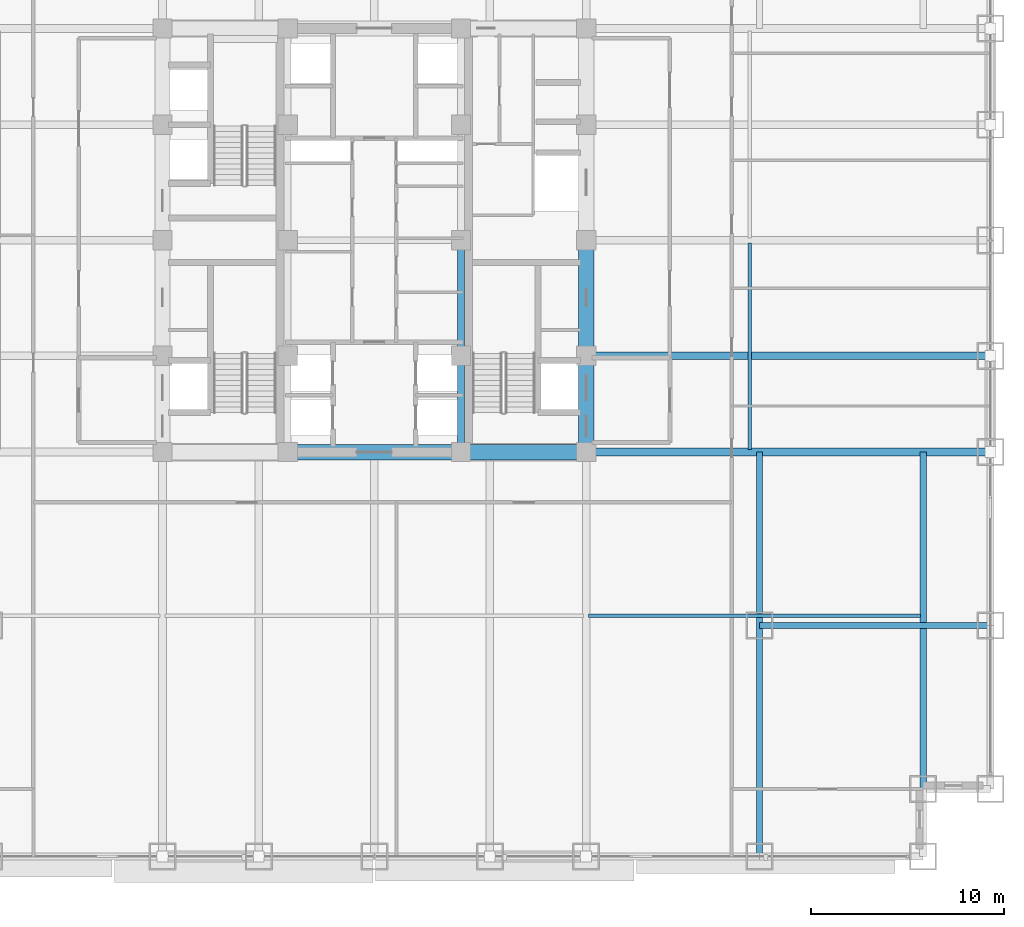
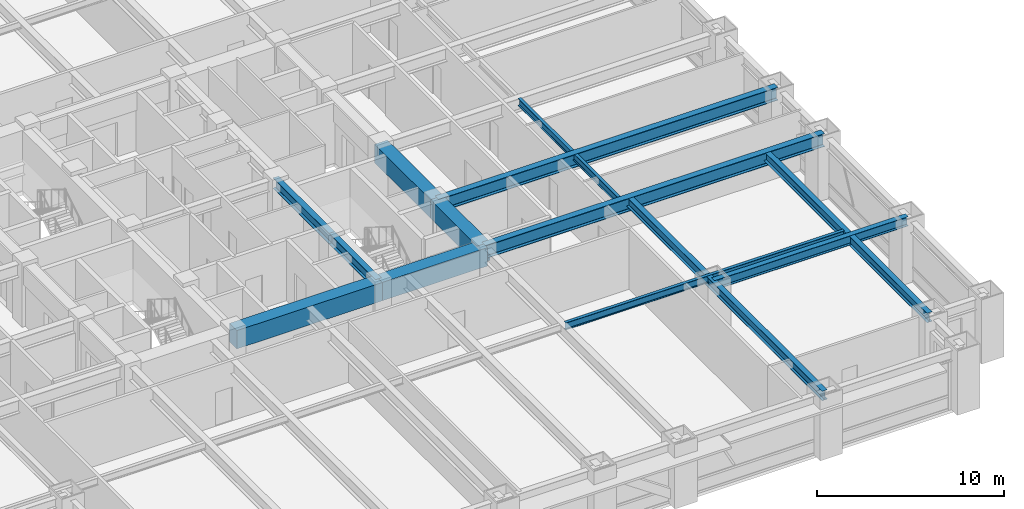
# One storey, part 7 of 32: 13 beams.
"""IFC4 building model written with IfcOpenShell, lengths in metres."""

from ifc_helpers import new_model, si_unit, direction, frame, origin, origin_2d, place, context, subcontext, project, spatial, rectangle, i_section, extrude, source, transform, mapped, material, material_profile, profile_set, type_object, element, save


model = new_model("IFC4")

# Units and contexts
model_context = context("Model", 3, precision=1e-05, world=origin(), true_north=direction((0.0, 1.0)))
body_context = subcontext(model_context, "Body", "Model", "MODEL_VIEW")
ifc_project = project(units=[si_unit("LENGTHUNIT", "METRE"), si_unit("AREAUNIT", "SQUARE_METRE"), si_unit("VOLUMEUNIT", "CUBIC_METRE"), si_unit("PLANEANGLEUNIT", "RADIAN"), si_unit("MASSUNIT", "GRAM", prefix="KILO")], contexts=[model_context])

# Site, building, storey
site_placement = place(None, origin())
site = spatial("IfcSite", under=ifc_project, at=site_placement, CompositionType="ELEMENT")
building_placement = place(site_placement, origin())
building = spatial("IfcBuilding", under=site, at=building_placement, Name="Khorayat Bourse Tower", CompositionType="ELEMENT")
storey_placement = place(building_placement, frame((0.0, 0.0, 74.60009765625)))
storey = spatial("IfcBuildingStorey", under=building, at=storey_placement, Name="L16", CompositionType="ELEMENT", Elevation=74.60009765625)

# Beams
ifc_material_1 = material(Name="Concrete C72/90", Category="concrete")
ifc_material_profile_1 = material_profile(ifc_material_1, rectangle(XDim=0.800048828125, YDim=1.199951171875, at=origin_2d()), Name="RC 800x1200")
ifc_profile_set_1 = profile_set([ifc_material_profile_1], Name="Concrete C72/90")
beam_type_1 = type_object("IfcBeamType", Name="BM-COUP-1200", PredefinedType="BEAM", material=ifc_profile_set_1)
shared_shape_1 = source(origin(), body_context, "Body", "SweptSolid", [
    extrude(rectangle(XDim=0.800048828125, YDim=1.199951171875, at=origin_2d()), origin(), (0.0, 0.0, 1.0), 5.0),
])
beam_1_placement = place(storey_placement, frame((11.0, -11.0, 3.33984375), z_axis=(0.0, 1.0, 0.0), x_axis=(-1.0, 0.0, 0.0)))
element("IfcBeam", 1, at=beam_1_placement, inside=storey, type_object=beam_type_1, Name="L16 BM-COUP-1200 BM-L16-CRX-13", PredefinedType="BEAM", context=body_context, shape_type="MappedRepresentation", body=[
    mapped(shared_shape_1, transform((0.0, 0.0, 0.0), scale=1.0)),
])
shared_shape_2 = source(origin(), body_context, "Body", "SweptSolid", [
    extrude(rectangle(XDim=0.800048828125, YDim=1.199951171875, at=origin_2d()), origin(), (0.0, 0.0, 1.0), 6.0),
])
beam_2_placement = place(storey_placement, frame((11.0, -6.0, 3.33984375), z_axis=(0.0, 1.0, 0.0), x_axis=(-1.0, 0.0, 0.0)))
element("IfcBeam", 2, at=beam_2_placement, inside=storey, type_object=beam_type_1, Name="L16 BM-COUP-1200 BM-L16-CRX-14", PredefinedType="BEAM", context=body_context, shape_type="MappedRepresentation", body=[
    mapped(shared_shape_2, transform((0.0, 0.0, 0.0), scale=1.0)),
])
ifc_material_2 = material(Name="Steel ASTM A992 Grade 50", Category="steel")
ifc_material_profile_2 = material_profile(ifc_material_2, i_section(OverallWidth=0.35498046875, OverallDepth=0.695068359375, WebThickness=0.015380859375, FlangeThickness=0.02490234375, FilletRadius=0.01806640625, at=origin_2d()), Name="W690X217")
ifc_profile_set_2 = profile_set([ifc_material_profile_2], Name="Steel ASTM A992 Grade 50")
beam_type_2 = type_object("IfcBeamType", Name="BM-GIRD-690", PredefinedType="BEAM", material=ifc_profile_set_2)
shared_shape_3 = source(origin(), body_context, "Body", "SweptSolid", [
    extrude(i_section(OverallWidth=0.35498046875, OverallDepth=0.695068359375, WebThickness=0.015380859375, FlangeThickness=0.02490234375, FilletRadius=0.01806640625, at=origin_2d()), origin(), (0.0, 0.0, 1.0), 5.0),
])
beam_3_placement = place(storey_placement, frame((4.5, -11.0, 3.59228515625), z_axis=(0.0, 1.0, 0.0), x_axis=(-1.0, 0.0, 0.0)))
element("IfcBeam", 3, at=beam_3_placement, inside=storey, type_object=beam_type_2, Name="L16 BM-GIRD-690 BM-L16-CRX-09", PredefinedType="BEAM", context=body_context, shape_type="MappedRepresentation", body=[
    mapped(shared_shape_3, transform((0.0, 0.0, 0.0), scale=1.0)),
])
shared_shape_4 = source(origin(), body_context, "Body", "SweptSolid", [
    extrude(i_section(OverallWidth=0.35498046875, OverallDepth=0.695068359375, WebThickness=0.015380859375, FlangeThickness=0.02490234375, FilletRadius=0.01806640625, at=origin_2d()), origin(), (0.0, 0.0, 1.0), 6.0),
])
beam_4_placement = place(storey_placement, frame((4.5, -6.0, 3.59228515625), z_axis=(0.0, 1.0, 0.0), x_axis=(-1.0, 0.0, 0.0)))
element("IfcBeam", 4, at=beam_4_placement, inside=storey, type_object=beam_type_2, Name="L16 BM-GIRD-690 BM-L16-CRX-10", PredefinedType="BEAM", context=body_context, shape_type="MappedRepresentation", body=[
    mapped(shared_shape_4, transform((0.0, 0.0, 0.0), scale=1.0)),
])
shared_shape_5 = source(origin(), body_context, "Body", "SweptSolid", [
    extrude(rectangle(XDim=0.800048828125, YDim=1.199951171875, at=origin_2d()), origin(), (0.0, 0.0, 1.0), 6.5),
])
beam_5_placement = place(storey_placement, frame((4.5, -11.0, 3.33984375), z_axis=(1.0, 0.0, 0.0), x_axis=(0.0, 1.0, 0.0)))
element("IfcBeam", 5, at=beam_5_placement, inside=storey, type_object=beam_type_1, Name="L16 BM-COUP-1200 BM-L16-CRY-19", PredefinedType="BEAM", context=body_context, shape_type="MappedRepresentation", body=[
    mapped(shared_shape_5, transform((0.0, 0.0, 0.0), scale=1.0)),
])
shared_shape_6 = source(origin(), body_context, "Body", "SweptSolid", [
    extrude(rectangle(XDim=0.800048828125, YDim=1.199951171875, at=origin_2d()), origin(), (0.0, 0.0, 1.0), 9.0),
])
beam_6_placement = place(storey_placement, frame((-4.5, -11.0, 3.33984375), z_axis=(1.0, 0.0, 0.0), x_axis=(0.0, 1.0, 0.0)))
element("IfcBeam", 6, at=beam_6_placement, inside=storey, type_object=beam_type_1, Name="L16 BM-COUP-1200 BM-L16-CRY-18", PredefinedType="BEAM", context=body_context, shape_type="MappedRepresentation", body=[
    mapped(shared_shape_6, transform((0.0, 0.0, 0.0), scale=1.0)),
])
ifc_material_profile_3 = material_profile(ifc_material_2, i_section(OverallWidth=0.39990234375, OverallDepth=0.85498046875, WebThickness=0.018310546875, FlangeThickness=0.029296875, FilletRadius=0.02001953125, at=origin_2d()), Name="W840X299")
ifc_profile_set_3 = profile_set([ifc_material_profile_3], Name="Steel ASTM A992 Grade 50")
beam_type_3 = type_object("IfcBeamType", Name="BM-GIRD-840", PredefinedType="BEAM", material=ifc_profile_set_3)
shared_shape_7 = source(origin(), body_context, "Body", "SweptSolid", [
    extrude(i_section(OverallWidth=0.39990234375, OverallDepth=0.85498046875, WebThickness=0.018310546875, FlangeThickness=0.029296875, FilletRadius=0.02001953125, at=origin_2d()), origin(), (0.0, 0.0, 1.0), 21.0),
])
for number, where, z_axis, x_axis, name in (
    (7, (11.0, -11.0, 3.512451171875), (1.0, 0.0, 0.0), (0.0, 1.0, 0.0), "L16 BM-GIRD-840 BM-L16-RADX-074"),
    (8, (11.0, -6.0, 3.512451171875), (1.0, 0.0, 0.0), (0.0, 1.0, 0.0), "L16 BM-GIRD-840 BM-L16-RADX-076"),
):
    element("IfcBeam", number, at=place(storey_placement, frame(where, z_axis=z_axis, x_axis=x_axis)), inside=storey, type_object=beam_type_3, Name=name, PredefinedType="BEAM", context=body_context, shape_type="MappedRepresentation", body=[
        mapped(shared_shape_7, transform((0.0, 0.0, 0.0), scale=1.0)),
    ])
ifc_material_profile_4 = material_profile(ifc_material_2, i_section(OverallWidth=0.324951171875, OverallDepth=0.615966796875, WebThickness=0.013916015625, FlangeThickness=0.021484375, FilletRadius=0.01611328125, at=origin_2d()), Name="W610X174")
ifc_profile_set_4 = profile_set([ifc_material_profile_4], Name="Steel ASTM A992 Grade 50")
beam_type_4 = type_object("IfcBeamType", Name="BM-GIRD-610", PredefinedType="BEAM", material=ifc_profile_set_4)
shared_shape_8 = source(origin(), body_context, "Body", "SweptSolid", [
    extrude(i_section(OverallWidth=0.324951171875, OverallDepth=0.615966796875, WebThickness=0.013916015625, FlangeThickness=0.021484375, FilletRadius=0.01611328125, at=origin_2d()), origin(), (0.0, 0.0, 1.0), 21.0),
])
beam_7_placement = place(storey_placement, frame((20.0, -32.0, 3.6318359375), z_axis=(0.0, 1.0, 0.0), x_axis=(-1.0, 0.0, 0.0)))
element("IfcBeam", 9, at=beam_7_placement, inside=storey, type_object=beam_type_4, Name="L16 BM-GIRD-610 BM-L16-CNRY-086", PredefinedType="BEAM", context=body_context, shape_type="MappedRepresentation", body=[
    mapped(shared_shape_8, transform((0.0, 0.0, 0.0), scale=1.0)),
])
shared_shape_9 = source(origin(), body_context, "Body", "SweptSolid", [
    extrude(i_section(OverallWidth=0.324951171875, OverallDepth=0.615966796875, WebThickness=0.013916015625, FlangeThickness=0.021484375, FilletRadius=0.01611328125, at=origin_2d()), origin(), (0.0, 0.0, 1.0), 17.5),
])
beam_8_placement = place(storey_placement, frame((28.5, -28.5, 3.6318359375), z_axis=(0.0, 1.0, 0.0), x_axis=(-1.0, 0.0, 0.0)))
element("IfcBeam", 10, at=beam_8_placement, inside=storey, type_object=beam_type_4, Name="L16 BM-GIRD-610 BM-L16-CNRY-090", PredefinedType="BEAM", context=body_context, shape_type="MappedRepresentation", body=[
    mapped(shared_shape_9, transform((0.0, 0.0, 0.0), scale=1.0)),
])
shared_shape_10 = source(origin(), body_context, "Body", "SweptSolid", [
    extrude(i_section(OverallWidth=0.324951171875, OverallDepth=0.615966796875, WebThickness=0.013916015625, FlangeThickness=0.021484375, FilletRadius=0.01611328125, at=origin_2d()), origin(), (0.0, 0.0, 1.0), 12.0),
])
beam_9_placement = place(storey_placement, frame((20.0, -20.0, 3.6318359375), z_axis=(1.0, 0.0, 0.0), x_axis=(0.0, 1.0, 0.0)))
element("IfcBeam", 11, at=beam_9_placement, inside=storey, type_object=beam_type_4, Name="L16 BM-GIRD-610 BM-L16-CNRX-092", PredefinedType="BEAM", context=body_context, shape_type="MappedRepresentation", body=[
    mapped(shared_shape_10, transform((0.0, 0.0, 0.0), scale=1.0)),
])
ifc_material_profile_5 = material_profile(ifc_material_2, i_section(OverallWidth=0.194091796875, OverallDepth=0.468994140625, WebThickness=0.0126953125, FlangeThickness=0.0205078125, FilletRadius=0.012939453125, at=origin_2d()), Name="W460X106")
ifc_profile_set_5 = profile_set([ifc_material_profile_5], Name="Steel ASTM A992 Grade 50")
beam_type_5 = type_object("IfcBeamType", Name="BM-JOIST-460", PredefinedType="JOIST", material=ifc_profile_set_5)
shared_shape_11 = source(origin(), body_context, "Body", "SweptSolid", [
    extrude(i_section(OverallWidth=0.194091796875, OverallDepth=0.468994140625, WebThickness=0.0126953125, FlangeThickness=0.0205078125, FilletRadius=0.012939453125, at=origin_2d()), origin(), (0.0, 0.0, 1.0), 17.240234375),
])
beam_10_placement = place(storey_placement, frame((11.1298828125, -19.5, 3.705322265625), z_axis=(1.0, 0.0, 0.0), x_axis=(0.0, 1.0, 0.0)))
element("IfcBeam", 12, at=beam_10_placement, inside=storey, type_object=beam_type_5, Name="L16 BM-JOIST-460 BM-L16-JSTX-098", PredefinedType="JOIST", context=body_context, shape_type="MappedRepresentation", body=[
    mapped(shared_shape_11, transform((0.0, 0.0, 0.0), scale=1.0)),
])
shared_shape_12 = source(origin(), body_context, "Body", "SweptSolid", [
    extrude(i_section(OverallWidth=0.194091796875, OverallDepth=0.468994140625, WebThickness=0.0126953125, FlangeThickness=0.0205078125, FilletRadius=0.012939453125, at=origin_2d()), origin(), (0.0, 0.0, 1.0), 10.740234375),
])
beam_11_placement = place(storey_placement, frame((19.5, -10.8701171875, 3.705322265625), z_axis=(0.0, 1.0, 0.0), x_axis=(-1.0, 0.0, 0.0)))
element("IfcBeam", 13, at=beam_11_placement, inside=storey, type_object=beam_type_5, Name="L16 BM-JOIST-460 BM-L16-JSTY-104", PredefinedType="JOIST", context=body_context, shape_type="MappedRepresentation", body=[
    mapped(shared_shape_12, transform((0.0, 0.0, 0.0), scale=1.0)),
])

save(model, "model.ifc")
